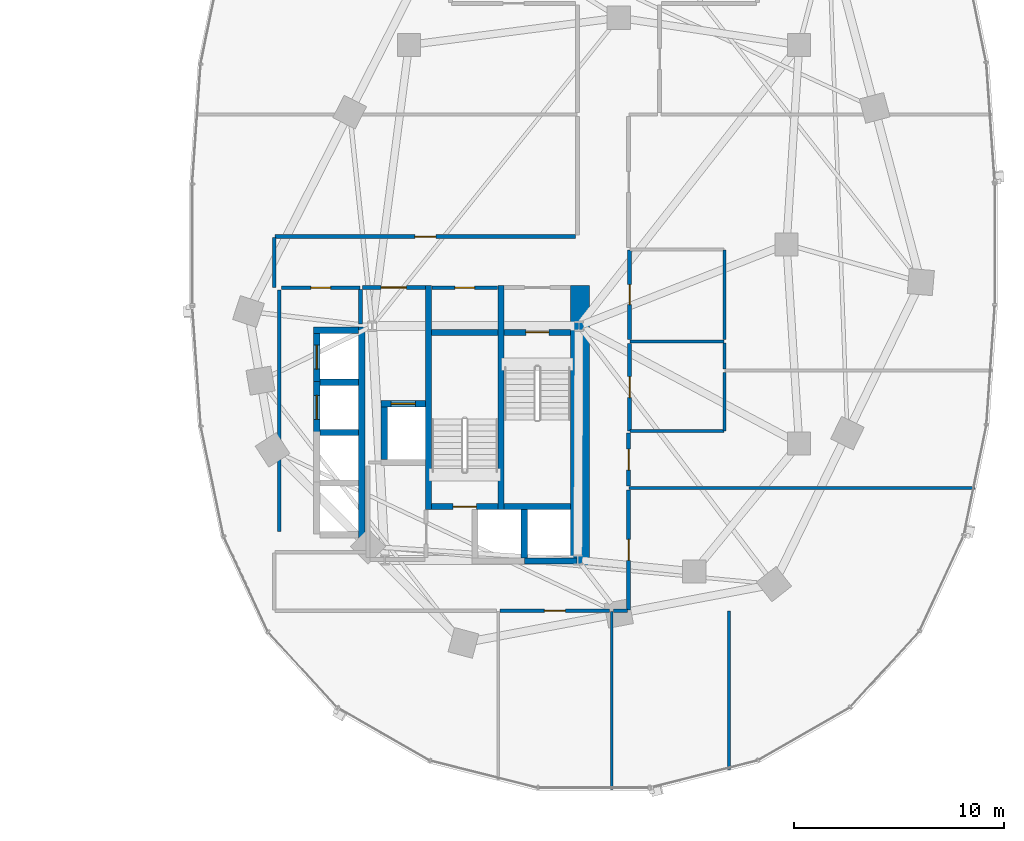
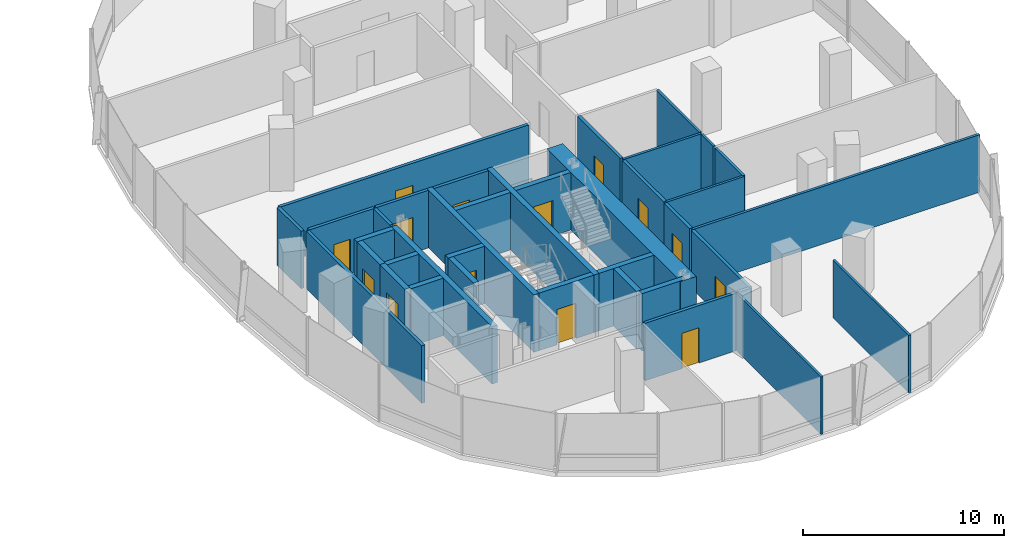
# One storey, part 13 of 22: 38 walls, 14 doors, 14 openings.
"""IFC4 building model written with IfcOpenShell, lengths in metres."""

import ifcopenshell
import ifcopenshell.guid

model = None  # the IFC model being written
_history = None  # IfcOwnerHistory: only IFC2X3 demands one
_inside = {}  # id of a spatial element -> (the spatial element, [elements in it])
_under = {}  # id of a project, library or spatial element -> (it, [spatial elements below it])
_declared = {}  # id of a project -> (the project, [libraries it declares])
_typed = {}  # id of a type object -> (the type object, [elements of that type])
_made_of = {}  # id of a material, layer set ... -> (it, [elements and type objects made of it])


def new_model(schema):
    """Start an empty IFC model of exactly this schema.

    Asked for "IFC4X3", IfcOpenShell would pick the latest addendum, in which some entities
    have other attributes; the version numbers below select the first issue.
    IFC2X3 requires an IfcOwnerHistory on every rooted entity: one is made here for all.
    """
    global model, _history
    if schema == "IFC4X3":
        model = ifcopenshell.file(schema_version=(4, 3, 0, 0))
    else:
        model = ifcopenshell.file(schema=schema)
    _inside.clear()
    _under.clear()
    _declared.clear()
    _typed.clear()
    _made_of.clear()
    _history = None
    if model.schema == "IFC2X3":
        org = make("IfcOrganization", Name="unknown")
        user = make(
            "IfcPersonAndOrganization",
            ThePerson=make("IfcPerson", FamilyName="unknown"),
            TheOrganization=org,
        )
        app = make(
            "IfcApplication",
            ApplicationDeveloper=org,
            Version="unknown",
            ApplicationFullName="unknown",
            ApplicationIdentifier="unknown",
        )
        _history = make(
            "IfcOwnerHistory",
            OwningUser=user,
            OwningApplication=app,
            ChangeAction="ADDED",
            CreationDate=0,
        )
    return model


def make(cls, **values):
    """One entity of the class cls with the attributes given. An attribute that is None is left unset."""
    return model.create_entity(
        cls, **{name: value for name, value in values.items() if value is not None}
    )


def rooted(cls, **values):
    """An entity with a GlobalId (a new one), such as an element, a storey or a relation."""
    return make(cls, GlobalId=ifcopenshell.guid.new(), OwnerHistory=_history, **values)


def si_unit(unit_type, name, prefix=None):
    """IfcSIUnit, for example si_unit("LENGTHUNIT", "METRE", prefix="MILLI")."""
    return make("IfcSIUnit", UnitType=unit_type, Prefix=prefix, Name=name)


def assignment(units):
    """IfcUnitAssignment: the units of a project."""
    return None if units is None else make("IfcUnitAssignment", Units=units)


def point(xyz):
    """IfcCartesianPoint."""
    return None if xyz is None else make("IfcCartesianPoint", Coordinates=xyz)


def direction(xyz):
    """IfcDirection."""
    return None if xyz is None else make("IfcDirection", DirectionRatios=xyz)


def frame(location, z_axis=None, x_axis=None):
    """IfcAxis2Placement3D, a coordinate frame: its origin and axes. An axis left out is left unset."""
    return make(
        "IfcAxis2Placement3D",
        Location=point(location),
        Axis=direction(z_axis),
        RefDirection=direction(x_axis),
    )


def frame_2d(location, x_axis=None):
    """IfcAxis2Placement2D, a coordinate frame in the plane: its origin and x axis."""
    return make(
        "IfcAxis2Placement2D", Location=point(location), RefDirection=direction(x_axis)
    )


def origin():
    """The frame at (0, 0, 0) with its axes left unset."""
    return frame((0.0, 0.0, 0.0))


def place(relative_to, where):
    """IfcLocalPlacement: puts the frame where relative to a parent placement (None: the world)."""
    return make(
        "IfcLocalPlacement", PlacementRelTo=relative_to, RelativePlacement=where
    )


def context(
    kind, dimensions, precision=None, world=None, true_north=None, identifier=None
):
    """IfcGeometricRepresentationContext, for example the 3D "Model" context."""
    return make(
        "IfcGeometricRepresentationContext",
        ContextIdentifier=identifier,
        ContextType=kind,
        CoordinateSpaceDimension=dimensions,
        Precision=precision,
        WorldCoordinateSystem=world,
        TrueNorth=true_north,
    )


def subcontext(parent, identifier, kind, view, scale=None):
    """IfcGeometricRepresentationSubContext, for example "Body" below "Model"."""
    return make(
        "IfcGeometricRepresentationSubContext",
        ContextIdentifier=identifier,
        ContextType=kind,
        ParentContext=parent,
        TargetScale=scale,
        TargetView=view,
    )


def project(units=None, contexts=None):
    """IfcProject with its units and contexts."""
    return rooted(
        "IfcProject",
        Name="project",
        RepresentationContexts=contexts,
        UnitsInContext=assignment(units),
    )


def spatial(cls, under=None, at=None, **own):
    """A site, building, storey or space (cls), placed at a placement, below another one or the project."""
    s = rooted(cls, ObjectPlacement=at, **own)
    if under is not None:
        _under.setdefault(under.id(), (under, []))[1].append(s)
    return s


def profile(cls, at=None, kind="AREA", **sizes):
    """A parametric profile (cls). Its sizes go by their IFC names, for example OverallWidth=200.0."""
    return make(cls, ProfileType=kind, Position=at, **sizes)


def rectangle(**sizes):
    """IfcRectangleProfileDef."""
    return profile("IfcRectangleProfileDef", **sizes)


def extrude(swept, where, along, depth):
    """IfcExtrudedAreaSolid: the profile swept, set in the frame where, extruded along a direction by depth."""
    return make(
        "IfcExtrudedAreaSolid",
        SweptArea=swept,
        Position=where,
        ExtrudedDirection=direction(along),
        Depth=depth,
    )


def shape(context_of_items, identifier, shape_type, items):
    """IfcShapeRepresentation: the items that make up one representation, for example the "Body"."""
    return make(
        "IfcShapeRepresentation",
        ContextOfItems=context_of_items,
        RepresentationIdentifier=identifier,
        RepresentationType=shape_type,
        Items=items,
    )


def material(Name=None, Category=None):
    """IfcMaterial."""
    return make("IfcMaterial", Name=Name, Category=Category)


def layer(
    of_material, thickness, ventilated=None, Name=None, Category=None, Priority=None
):
    """IfcMaterialLayer: one layer of a wall or slab, of a material (None: an air gap)."""
    return make(
        "IfcMaterialLayer",
        Material=of_material,
        LayerThickness=thickness,
        IsVentilated=ventilated,
        Name=Name,
        Category=Category,
        Priority=Priority,
    )


def layer_set(layers, Name=None):
    """IfcMaterialLayerSet."""
    return make("IfcMaterialLayerSet", MaterialLayers=layers, LayerSetName=Name)


def made_of(thing, what):
    """Note that an element or type object is made of a material, layer set ...; save() writes the relation."""
    if what is not None:
        _made_of.setdefault(what.id(), (what, []))[1].append(thing)
    return thing


def type_object(cls, material=None, **own):
    """A type object (cls), such as IfcWallType, which elements share."""
    return made_of(rooted(cls, **own), material)


def element(
    cls,
    number,
    at=None,
    inside=None,
    cuts=None,
    type_object=None,
    material=None,
    context=None,
    identifier="Body",
    shape_type=None,
    held_by="IfcProductDefinitionShape",
    body=None,
    shapes=None,
    **own,
):
    """One element of the class cls, such as IfcWall. Its Tag is "e" and its number.

    at: its placement. inside: the storey or other place that contains it. cuts: it is an
    opening in that element (IfcRelVoidsElement). A single representation is given by context,
    identifier, shape_type and body (its items); several are given by shapes. held_by: the class
    of the entity that holds the representations. save() writes the other relations.
    """
    e = rooted(cls, Tag="e%d" % number, ObjectPlacement=at, **own)
    if body is not None:
        shapes = [shape(context, identifier, shape_type, body)]
    if shapes is not None:
        e.Representation = make(held_by, Representations=shapes)
    if inside is not None:
        _inside.setdefault(inside.id(), (inside, []))[1].append(e)
    if cuts is not None:
        rooted(
            "IfcRelVoidsElement", RelatingBuildingElement=cuts, RelatedOpeningElement=e
        )
    if type_object is not None:
        _typed.setdefault(type_object.id(), (type_object, []))[1].append(e)
    return made_of(e, material)


def fill(opening, filler):
    """IfcRelFillsElement: the door or window that sits in an opening."""
    return rooted(
        "IfcRelFillsElement",
        RelatingOpeningElement=opening,
        RelatedBuildingElement=filler,
    )


def aggregate(whole, parts):
    """IfcRelAggregates: a whole, such as a stair, and the parts it consists of."""
    return rooted("IfcRelAggregates", RelatingObject=whole, RelatedObjects=parts)


def save(model, path):
    """Write the relations noted so far, then the file.

    IfcRelAggregates (storeys below a building ...), IfcRelContainedInSpatialStructure (elements
    in a storey), IfcRelDefinesByType, IfcRelAssociatesMaterial and IfcRelDeclares: one each for
    every whole, place, type object, material and project.
    """
    for whole, parts in _under.values():
        aggregate(whole, parts)
    for where, things in _inside.values():
        rooted(
            "IfcRelContainedInSpatialStructure",
            RelatedElements=things,
            RelatingStructure=where,
        )
    for kind, things in _typed.values():
        rooted("IfcRelDefinesByType", RelatedObjects=things, RelatingType=kind)
    for what, things in _made_of.values():
        rooted("IfcRelAssociatesMaterial", RelatedObjects=things, RelatingMaterial=what)
    for by, libraries in _declared.values():
        rooted("IfcRelDeclares", RelatingContext=by, RelatedDefinitions=libraries)
    model.write(path)


model = new_model("IFC4")

# Units and contexts
model_context = context("Model", 3, precision=1e-05, world=origin(), true_north=direction((0.0, 1.0)))
body_context = subcontext(model_context, "Body", "Model", "MODEL_VIEW")
ifc_project = project(units=[si_unit("LENGTHUNIT", "METRE"), si_unit("AREAUNIT", "SQUARE_METRE"), si_unit("VOLUMEUNIT", "CUBIC_METRE"), si_unit("PLANEANGLEUNIT", "RADIAN"), si_unit("MASSUNIT", "GRAM", prefix="KILO"), si_unit("THERMODYNAMICTEMPERATUREUNIT", "KELVIN"), si_unit("POWERUNIT", "WATT")], contexts=[model_context])

# Site, building, storey
site_placement = place(None, origin())
site = spatial("IfcSite", under=ifc_project, at=site_placement, CompositionType="ELEMENT")
building_placement = place(site_placement, origin())
building = spatial("IfcBuilding", under=site, at=building_placement, Name="Cundina Bronze Exchange", CompositionType="ELEMENT")
storey_placement = place(building_placement, frame((0.0, 0.0, 39.199951171875)))
storey = spatial("IfcBuildingStorey", under=building, at=storey_placement, Name="L09", CompositionType="ELEMENT", Elevation=39.199951171875)

# Wall
ifc_material_1 = material(Name="Gypsum Fireboard Partition EI120")
ifc_layer_1 = layer(ifc_material_1, 0.179931640625, Name="Gypsum Fireboard Partition EI120")
ifc_layer_set_1 = layer_set([ifc_layer_1], Name="Gypsum Fireboard Partition EI120")
wall_type_1 = type_object("IfcWallType", Name="WL-COR-180", PredefinedType="PARTITIONING", material=ifc_layer_set_1)
wall_1_placement = place(storey_placement, frame((20.889892578125, -3.800048828125, 0.0), z_axis=(0.0, 0.0, 1.0), x_axis=(0.0, 1.0, 0.0)))
element("IfcWall", 1, at=wall_1_placement, inside=storey, type_object=wall_type_1, Name="L09 E Firefighting Lobby Side Wall", PredefinedType="PARTITIONING", context=body_context, shape_type="SweptSolid", body=[
    extrude(rectangle(XDim=1.650146484375, YDim=0.179931640625, at=frame_2d((0.8251953125, 0.0))), origin(), (0.0, 0.0, 1.0), 3.5),
])

# Wall, opening, door
wall_2_placement = place(storey_placement, frame((20.97998046875, -2.06005859375, 0.0), z_axis=(0.0, 0.0, 1.0), x_axis=(1.0, 0.0, 0.0)))
wall_2 = element("IfcWall", 2, at=wall_2_placement, inside=storey, type_object=wall_type_1, Name="L09 E Firefighting Lobby Exit Wall", PredefinedType="PARTITIONING", context=body_context, shape_type="SweptSolid", body=[
    extrude(rectangle(XDim=3.0, YDim=0.179931640625, at=frame_2d((1.5, 0.0))), origin(), (0.0, 0.0, 1.0), 3.5),
])
opening_1_placement = place(wall_2_placement, frame((0.89990234375, 0.0, 0.0)))
opening_1 = element("IfcOpeningElement", 3, at=opening_1_placement, cuts=wall_2, Name="Opening DF-01", PredefinedType="OPENING", context=body_context, shape_type="SweptSolid", body=[
    extrude(rectangle(XDim=1.199951171875, YDim=2.14990234375, at=frame_2d((0.60009765625, 1.074951171875))), frame((0.0, 0.099853515625, 0.0), z_axis=(0.0, -1.0, 0.0), x_axis=(1.0, 0.0, 0.0)), (0.0, 0.0, 1.0), 0.199951171875),
])
ifc_material_2 = material(Name="Steel ASTM A36 Painted", Category="steel")
door_type_1 = type_object("IfcDoorType", Name="DR-FFL-1200", OperationType="NOTDEFINED", PredefinedType="DOOR", material=ifc_material_2)
door_1_placement = place(opening_1_placement, origin())
door_1 = element("IfcDoor", 4, at=door_1_placement, inside=storey, type_object=door_type_1, Name="L09 E Firefighting Lobby Door", OperationType="SINGLE_SWING_LEFT", OverallHeight=2.14990234375, OverallWidth=1.199951171875, PredefinedType="DOOR", context=body_context, shape_type="SweptSolid", body=[
    extrude(rectangle(XDim=1.199951171875, YDim=2.14990234375, at=frame_2d((0.60009765625, 1.074951171875))), frame((0.0, 0.02490234375, 0.0), z_axis=(0.0, -1.0, 0.0), x_axis=(1.0, 0.0, 0.0)), (0.0, 0.0, 1.0), 0.050048828125),
])
fill(opening_1, door_1)

# Wall
wall_3_placement = place(storey_placement, frame((17.02001953125, -13.679931640625, 0.0), z_axis=(0.0, 0.0, 1.0), x_axis=(0.0, 1.0, 0.0)))
element("IfcWall", 5, at=wall_3_placement, inside=storey, type_object=wall_type_1, Name="L09 Interior Partition 050", PredefinedType="PARTITIONING", context=body_context, shape_type="SweptSolid", body=[
    extrude(rectangle(XDim=11.510009765625, YDim=0.179931640625, at=frame_2d((5.7548828125, 0.0))), origin(), (0.0, 0.0, 1.0), 3.5),
])

# Wall, opening, door
wall_4_placement = place(storey_placement, frame((17.1201171875, -2.070068359375, 0.0), z_axis=(0.0, 0.0, 1.0), x_axis=(1.0, 0.0, 0.0)))
wall_4 = element("IfcWall", 6, at=wall_4_placement, inside=storey, type_object=wall_type_1, Name="L09 Interior Partition 051", PredefinedType="PARTITIONING", context=body_context, shape_type="SweptSolid", body=[
    extrude(rectangle(XDim=3.75, YDim=0.179931640625, at=frame_2d((1.875, 0.0))), origin(), (0.0, 0.0, 1.0), 3.5),
])
opening_2_placement = place(wall_4_placement, frame((1.39990234375, 0.0, 0.0)))
opening_2 = element("IfcOpeningElement", 7, at=opening_2_placement, cuts=wall_4, Name="Opening DW-01", PredefinedType="OPENING", context=body_context, shape_type="SweptSolid", body=[
    extrude(rectangle(XDim=0.949951171875, YDim=2.10009765625, at=frame_2d((0.47509765625, 1.050048828125))), frame((0.0, 0.099853515625, 0.0), z_axis=(0.0, -1.0, 0.0), x_axis=(1.0, 0.0, 0.0)), (0.0, 0.0, 1.0), 0.199951171875),
])
ifc_material_3 = material(Name="Solid Andean Oak Timber Grade A", Category="wood")
door_type_2 = type_object("IfcDoorType", Name="DR-WC-950", OperationType="NOTDEFINED", PredefinedType="DOOR", material=ifc_material_3)
door_2_placement = place(opening_2_placement, origin())
door_2 = element("IfcDoor", 8, at=door_2_placement, inside=storey, type_object=door_type_2, Name="L09 Interior Door 051", OperationType="SINGLE_SWING_LEFT", OverallHeight=2.10009765625, OverallWidth=0.949951171875, PredefinedType="DOOR", context=body_context, shape_type="SweptSolid", body=[
    extrude(rectangle(XDim=0.949951171875, YDim=2.10009765625, at=frame_2d((0.47509765625, 1.050048828125))), frame((0.0, 0.02490234375, 0.0), z_axis=(0.0, -1.0, 0.0), x_axis=(1.0, 0.0, 0.0)), (0.0, 0.0, 1.0), 0.050048828125),
])
fill(opening_2, door_2)

wall_5_placement = place(storey_placement, frame((24.300048828125, -2.070068359375, 0.0), z_axis=(0.0, 0.0, 1.0), x_axis=(1.0, 0.0, 0.0)))
wall_5 = element("IfcWall", 9, at=wall_5_placement, inside=storey, type_object=wall_type_1, Name="L09 Interior Partition 055", PredefinedType="PARTITIONING", context=body_context, shape_type="SweptSolid", body=[
    extrude(rectangle(XDim=3.119873046875, YDim=0.179931640625, at=frame_2d((1.56005859375, 0.0))), origin(), (0.0, 0.0, 1.0), 3.5),
])
opening_3_placement = place(wall_5_placement, frame((1.0849609375, 0.0, 0.0)))
opening_3 = element("IfcOpeningElement", 10, at=opening_3_placement, cuts=wall_5, Name="Opening DW-01", PredefinedType="OPENING", context=body_context, shape_type="SweptSolid", body=[
    extrude(rectangle(XDim=0.949951171875, YDim=2.10009765625, at=frame_2d((0.47509765625, 1.050048828125))), frame((0.0, 0.099853515625, 0.0), z_axis=(0.0, -1.0, 0.0), x_axis=(1.0, 0.0, 0.0)), (0.0, 0.0, 1.0), 0.199951171875),
])
door_3_placement = place(opening_3_placement, origin())
door_3 = element("IfcDoor", 11, at=door_3_placement, inside=storey, type_object=door_type_2, Name="L09 Interior Door 055", OperationType="SINGLE_SWING_LEFT", OverallHeight=2.10009765625, OverallWidth=0.949951171875, PredefinedType="DOOR", context=body_context, shape_type="SweptSolid", body=[
    extrude(rectangle(XDim=0.949951171875, YDim=2.10009765625, at=frame_2d((0.47509765625, 1.050048828125))), frame((0.0, 0.02490234375, 0.0), z_axis=(0.0, -1.0, 0.0), x_axis=(1.0, 0.0, 0.0)), (0.0, 0.0, 1.0), 0.050048828125),
])
fill(opening_3, door_3)

wall_6_placement = place(storey_placement, frame((33.719970703125, -4.530029296875, 0.0), z_axis=(0.0, 0.0, 1.0), x_axis=(0.0, 1.0, 0.0)))
wall_6 = element("IfcWall", 12, at=wall_6_placement, inside=storey, type_object=wall_type_1, Name="L09 Interior Partition 063", PredefinedType="PARTITIONING", context=body_context, shape_type="SweptSolid", body=[
    extrude(rectangle(XDim=4.260009765625, YDim=0.179931640625, at=frame_2d((2.1298828125, 0.0))), origin(), (0.0, 0.0, 1.0), 3.5),
])
opening_4_placement = place(wall_6_placement, frame((1.655029296875, 0.0, 0.0)))
opening_4 = element("IfcOpeningElement", 13, at=opening_4_placement, cuts=wall_6, Name="Opening DW-01", PredefinedType="OPENING", context=body_context, shape_type="SweptSolid", body=[
    extrude(rectangle(XDim=0.949951171875, YDim=2.10009765625, at=frame_2d((0.47509765625, 1.050048828125))), frame((0.0, 0.099853515625, 0.0), z_axis=(0.0, -1.0, 0.0), x_axis=(1.0, 0.0, 0.0)), (0.0, 0.0, 1.0), 0.199951171875),
])
door_4_placement = place(opening_4_placement, origin())
door_4 = element("IfcDoor", 14, at=door_4_placement, inside=storey, type_object=door_type_2, Name="L09 Interior Door 063", OperationType="SINGLE_SWING_LEFT", OverallHeight=2.10009765625, OverallWidth=0.949951171875, PredefinedType="DOOR", context=body_context, shape_type="SweptSolid", body=[
    extrude(rectangle(XDim=0.949951171875, YDim=2.10009765625, at=frame_2d((0.47509765625, 1.050048828125))), frame((0.0, 0.02490234375, 0.0), z_axis=(0.0, -1.0, 0.0), x_axis=(1.0, 0.0, 0.0)), (0.0, 0.0, 1.0), 0.050048828125),
])
fill(opening_4, door_4)

wall_7_placement = place(storey_placement, frame((33.719970703125, -8.889892578125, 0.0), z_axis=(0.0, 0.0, 1.0), x_axis=(0.0, 1.0, 0.0)))
wall_7 = element("IfcWall", 15, at=wall_7_placement, inside=storey, type_object=wall_type_1, Name="L09 Interior Partition 064", PredefinedType="PARTITIONING", context=body_context, shape_type="SweptSolid", body=[
    extrude(rectangle(XDim=4.159912109375, YDim=0.179931640625, at=frame_2d((2.080078125, 0.0))), origin(), (0.0, 0.0, 1.0), 3.5),
])
opening_5_placement = place(wall_7_placement, frame((1.580078125, 0.0, 0.0)))
opening_5 = element("IfcOpeningElement", 16, at=opening_5_placement, cuts=wall_7, Name="Opening DO-01", PredefinedType="OPENING", context=body_context, shape_type="SweptSolid", body=[
    extrude(rectangle(XDim=1.0, YDim=2.14990234375, at=frame_2d((0.5, 1.074951171875))), frame((0.0, 0.099853515625, 0.0), z_axis=(0.0, -1.0, 0.0), x_axis=(1.0, 0.0, 0.0)), (0.0, 0.0, 1.0), 0.199951171875),
])
door_type_3 = type_object("IfcDoorType", Name="DR-OFF-1000", OperationType="NOTDEFINED", PredefinedType="DOOR", material=ifc_material_3)
door_5_placement = place(opening_5_placement, origin())
door_5 = element("IfcDoor", 17, at=door_5_placement, inside=storey, type_object=door_type_3, Name="L09 Interior Door 064", OperationType="SINGLE_SWING_LEFT", OverallHeight=2.14990234375, OverallWidth=1.0, PredefinedType="DOOR", context=body_context, shape_type="SweptSolid", body=[
    extrude(rectangle(XDim=1.0, YDim=2.14990234375, at=frame_2d((0.5, 1.074951171875))), frame((0.0, 0.02490234375, 0.0), z_axis=(0.0, -1.0, 0.0), x_axis=(1.0, 0.0, 0.0)), (0.0, 0.0, 1.0), 0.050048828125),
])
fill(opening_5, door_5)

wall_8_placement = place(storey_placement, frame((27.550048828125, -17.469970703125, 0.0), z_axis=(0.0, 0.0, 1.0), x_axis=(1.0, 0.0, 0.0)))
wall_8 = element("IfcWall", 18, at=wall_8_placement, inside=storey, type_object=wall_type_1, Name="L09 Interior Partition 076", PredefinedType="PARTITIONING", context=body_context, shape_type="SweptSolid", body=[
    extrude(rectangle(XDim=5.219970703125, YDim=0.179931640625, at=frame_2d((2.60986328125, 0.0))), origin(), (0.0, 0.0, 1.0), 3.5),
])
opening_6_placement = place(wall_8_placement, frame((2.110107421875, 0.0, 0.0)))
opening_6 = element("IfcOpeningElement", 19, at=opening_6_placement, cuts=wall_8, Name="Opening DO-01", PredefinedType="OPENING", context=body_context, shape_type="SweptSolid", body=[
    extrude(rectangle(XDim=1.0, YDim=2.14990234375, at=frame_2d((0.5, 1.074951171875))), frame((0.0, 0.099853515625, 0.0), z_axis=(0.0, -1.0, 0.0), x_axis=(1.0, 0.0, 0.0)), (0.0, 0.0, 1.0), 0.199951171875),
])
door_6_placement = place(opening_6_placement, origin())
door_6 = element("IfcDoor", 20, at=door_6_placement, inside=storey, type_object=door_type_3, Name="L09 Interior Door 076", OperationType="SINGLE_SWING_RIGHT", OverallHeight=2.14990234375, OverallWidth=1.0, PredefinedType="DOOR", context=body_context, shape_type="SweptSolid", body=[
    extrude(rectangle(XDim=1.0, YDim=2.14990234375, at=frame_2d((0.5, 1.074951171875))), frame((0.0, 0.02490234375, 0.0), z_axis=(0.0, -1.0, 0.0), x_axis=(1.0, 0.0, 0.0)), (0.0, 0.0, 1.0), 0.050048828125),
])
fill(opening_6, door_6)

wall_9_placement = place(storey_placement, frame((33.669921875, -17.428466796875, 0.0), z_axis=(0.0, 0.0, 1.0), x_axis=(0.0, 1.0, 0.0)))
wall_9 = element("IfcWall", 21, at=wall_9_placement, inside=storey, type_object=wall_type_1, Name="L09 Interior Partition 077", PredefinedType="PARTITIONING", context=body_context, shape_type="SweptSolid", body=[
    extrude(rectangle(XDim=5.718505859375, YDim=0.179931640625, at=frame_2d((2.859375, 0.0))), origin(), (0.0, 0.0, 1.0), 3.5),
])
opening_7_placement = place(wall_9_placement, frame((2.359130859375, 0.0, 0.0)))
opening_7 = element("IfcOpeningElement", 22, at=opening_7_placement, cuts=wall_9, Name="Opening DO-01", PredefinedType="OPENING", context=body_context, shape_type="SweptSolid", body=[
    extrude(rectangle(XDim=1.0, YDim=2.14990234375, at=frame_2d((0.5, 1.074951171875))), frame((0.0, 0.099853515625, 0.0), z_axis=(0.0, -1.0, 0.0), x_axis=(1.0, 0.0, 0.0)), (0.0, 0.0, 1.0), 0.199951171875),
])
door_7_placement = place(opening_7_placement, origin())
door_7 = element("IfcDoor", 23, at=door_7_placement, inside=storey, type_object=door_type_3, Name="L09 Interior Door 077", OperationType="SINGLE_SWING_LEFT", OverallHeight=2.14990234375, OverallWidth=1.0, PredefinedType="DOOR", context=body_context, shape_type="SweptSolid", body=[
    extrude(rectangle(XDim=1.0, YDim=2.14990234375, at=frame_2d((0.5, 1.074951171875))), frame((0.0, 0.02490234375, 0.0), z_axis=(0.0, -1.0, 0.0), x_axis=(1.0, 0.0, 0.0)), (0.0, 0.0, 1.0), 0.050048828125),
])
fill(opening_7, door_7)

# Wall
wall_10_placement = place(storey_placement, frame((32.949951171875, -17.469970703125, 0.0), z_axis=(0.0, 0.0, 1.0), x_axis=(1.0, 0.0, 0.0)))
element("IfcWall", 24, at=wall_10_placement, inside=storey, type_object=wall_type_1, Name="L09 Interior Partition 078", PredefinedType="PARTITIONING", context=body_context, shape_type="SweptSolid", body=[
    extrude(rectangle(XDim=0.678466796875, YDim=0.179931640625, at=frame_2d((0.33935546875, 0.0))), origin(), (0.0, 0.0, 1.0), 3.5),
])

# Wall, opening, door
wall_11_placement = place(storey_placement, frame((33.669921875, -11.530029296875, 0.0), z_axis=(0.0, 0.0, 1.0), x_axis=(0.0, 1.0, 0.0)))
wall_11 = element("IfcWall", 25, at=wall_11_placement, inside=storey, type_object=wall_type_1, Name="L09 Interior Partition 079", PredefinedType="PARTITIONING", context=body_context, shape_type="SweptSolid", body=[
    extrude(rectangle(XDim=2.528564453125, YDim=0.179931640625, at=frame_2d((1.26416015625, 0.0))), origin(), (0.0, 0.0, 1.0), 3.5),
])
opening_8_placement = place(wall_11_placement, frame((0.764404296875, 0.0, 0.0)))
opening_8 = element("IfcOpeningElement", 26, at=opening_8_placement, cuts=wall_11, Name="Opening DO-01", PredefinedType="OPENING", context=body_context, shape_type="SweptSolid", body=[
    extrude(rectangle(XDim=1.0, YDim=2.14990234375, at=frame_2d((0.5, 1.074951171875))), frame((0.0, 0.099853515625, 0.0), z_axis=(0.0, -1.0, 0.0), x_axis=(1.0, 0.0, 0.0)), (0.0, 0.0, 1.0), 0.199951171875),
])
door_8_placement = place(opening_8_placement, origin())
door_8 = element("IfcDoor", 27, at=door_8_placement, inside=storey, type_object=door_type_3, Name="L09 Interior Door 079", OperationType="SINGLE_SWING_RIGHT", OverallHeight=2.14990234375, OverallWidth=1.0, PredefinedType="DOOR", context=body_context, shape_type="SweptSolid", body=[
    extrude(rectangle(XDim=1.0, YDim=2.14990234375, at=frame_2d((0.5, 1.074951171875))), frame((0.0, 0.02490234375, 0.0), z_axis=(0.0, -1.0, 0.0), x_axis=(1.0, 0.0, 0.0)), (0.0, 0.0, 1.0), 0.050048828125),
])
fill(opening_8, door_8)

wall_12_placement = place(storey_placement, frame((31.14990234375, 0.3701171875, 0.0), z_axis=(0.0, 0.0, 1.0), x_axis=(-1.0, 0.0, 0.0)))
wall_12 = element("IfcWall", 28, at=wall_12_placement, inside=storey, type_object=wall_type_1, Name="L09 Interior Partition 080", PredefinedType="PARTITIONING", context=body_context, shape_type="SweptSolid", body=[
    extrude(rectangle(XDim=14.328369140625, YDim=0.179931640625, at=frame_2d((7.1640625, 0.0))), origin(), (0.0, 0.0, 1.0), 3.5),
])
opening_9_placement = place(wall_12_placement, frame((6.664306640625, 0.0, 0.0)))
opening_9 = element("IfcOpeningElement", 29, at=opening_9_placement, cuts=wall_12, Name="Opening DO-01", PredefinedType="OPENING", context=body_context, shape_type="SweptSolid", body=[
    extrude(rectangle(XDim=1.0, YDim=2.14990234375, at=frame_2d((0.5, 1.074951171875))), frame((0.0, 0.099853515625, 0.0), z_axis=(0.0, -1.0, 0.0), x_axis=(1.0, 0.0, 0.0)), (0.0, 0.0, 1.0), 0.199951171875),
])
door_9_placement = place(opening_9_placement, origin())
door_9 = element("IfcDoor", 30, at=door_9_placement, inside=storey, type_object=door_type_3, Name="L09 Interior Door 080", OperationType="SINGLE_SWING_LEFT", OverallHeight=2.14990234375, OverallWidth=1.0, PredefinedType="DOOR", context=body_context, shape_type="SweptSolid", body=[
    extrude(rectangle(XDim=1.0, YDim=2.14990234375, at=frame_2d((0.5, 1.074951171875))), frame((0.0, 0.02490234375, 0.0), z_axis=(0.0, -1.0, 0.0), x_axis=(1.0, 0.0, 0.0)), (0.0, 0.0, 1.0), 0.050048828125),
])
fill(opening_9, door_9)

# Walls
wall_13_placement = place(storey_placement, frame((16.780029296875, 0.32861328125, 0.0), z_axis=(0.0, 0.0, 1.0), x_axis=(0.0, -1.0, 0.0)))
element("IfcWall", 31, at=wall_13_placement, inside=storey, type_object=wall_type_1, Name="L09 Interior Partition 085", PredefinedType="PARTITIONING", context=body_context, shape_type="SweptSolid", body=[
    extrude(rectangle(XDim=2.38720703125, YDim=0.179931640625, at=frame_2d((1.193603515625, 0.0))), origin(), (0.0, 0.0, 1.0), 3.5),
])
ifc_material_4 = material(Name="Concrete C60/75", Category="concrete")
ifc_layer_2 = layer(ifc_material_4, 0.89990234375, Name="Concrete C60/75", Category="concrete")
ifc_layer_set_2 = layer_set([ifc_layer_2], Name="Concrete C60/75")
wall_type_2 = type_object("IfcWallType", Name="WL-CORE-900", PredefinedType="SHEAR", material=ifc_layer_set_2)
wall_14_placement = place(storey_placement, frame((31.35009765625, -15.300048828125, 0.0), z_axis=(0.0, 0.0, 1.0), x_axis=(0.0, 1.0, 0.0)))
element("IfcWall", 32, at=wall_14_placement, inside=storey, type_object=wall_type_2, Name="L09 E Primary Core Shear Spine Wall", PredefinedType="SHEAR", context=body_context, shape_type="SweptSolid", body=[
    extrude(rectangle(XDim=13.330078125, YDim=0.89990234375, at=frame_2d((6.6650390625, 0.0))), origin(), (0.0, 0.0, 1.0), 3.5),
])
ifc_material_5 = material(Name="Gypsum Acoustic Partition EI60")
ifc_layer_3 = layer(ifc_material_5, 0.125, Name="Gypsum Acoustic Partition EI60")
ifc_layer_set_3 = layer_set([ifc_layer_3], Name="Gypsum Acoustic Partition EI60")
wall_type_3 = type_object("IfcWallType", Name="WL-OFF-125", PredefinedType="PARTITIONING", material=ifc_layer_set_3)
wall_15_placement = place(storey_placement, frame((32.860107421875, -25.985107421875, 0.0), z_axis=(0.0, 0.0, 1.0), x_axis=(0.0, 1.0, 0.0)))
element("IfcWall", 33, at=wall_15_placement, inside=storey, type_object=wall_type_3, Name="L09 Interior Partition 074", PredefinedType="PARTITIONING", context=body_context, shape_type="SweptSolid", body=[
    extrude(rectangle(XDim=8.485107421875, YDim=0.125, at=frame_2d((4.24267578125, 0.0))), origin(), (0.0, 0.0, 1.0), 3.5),
])
wall_16_placement = place(storey_placement, frame((38.4599609375, -25.03515625, 0.0), z_axis=(0.0, 0.0, 1.0), x_axis=(0.0, 1.0, 0.0)))
element("IfcWall", 34, at=wall_16_placement, inside=storey, type_object=wall_type_3, Name="L09 Interior Partition 075", PredefinedType="PARTITIONING", context=body_context, shape_type="SweptSolid", body=[
    extrude(rectangle(XDim=7.565185546875, YDim=0.125, at=frame_2d((3.78271484375, 0.0))), origin(), (0.0, 0.0, 1.0), 3.5),
])
ifc_material_6 = material(Name="Concrete C50/60", Category="concrete")
ifc_layer_4 = layer(ifc_material_6, 0.300048828125, Name="Concrete C50/60", Category="concrete")
ifc_layer_set_4 = layer_set([ifc_layer_4], Name="Concrete C50/60")
wall_type_4 = type_object("IfcWallType", Name="WL-SHFT-300", PredefinedType="SHEAR", material=ifc_layer_set_4)
for number, where, z_axis, x_axis, name in (
    (35, (27.590087890625, -12.64990234375, 0.0), (0.0, 0.0, 1.0), (0.0, 1.0, 0.0), "L09 E Stair Shaft Dividing Shear Wall"),
    (36, (24.1298828125, -12.64990234375, 0.0), (0.0, 0.0, 1.0), (0.0, 1.0, 0.0), "L09 E Stair 2 East Shear Wall"),
):
    element("IfcWall", number, at=place(storey_placement, frame(where, z_axis=z_axis, x_axis=x_axis)), inside=storey, type_object=wall_type_4, Name=name, PredefinedType="SHEAR", context=body_context, shape_type="SweptSolid", body=[
        extrude(rectangle(XDim=10.679931640625, YDim=0.300048828125, at=frame_2d((5.33984375, 0.0))), origin(), (0.0, 0.0, 1.0), 3.5),
    ])

# Wall, opening, door
wall_17_placement = place(storey_placement, frame((27.739990234375, -4.199951171875, 0.0), z_axis=(0.0, 0.0, 1.0), x_axis=(1.0, 0.0, 0.0)))
wall_17 = element("IfcWall", 37, at=wall_17_placement, inside=storey, type_object=wall_type_4, Name="L09 Stair E1 Landing Wall", PredefinedType="SHEAR", context=body_context, shape_type="SweptSolid", body=[
    extrude(rectangle(XDim=3.159912109375, YDim=0.300048828125, at=frame_2d((1.580078125, 0.0))), origin(), (0.0, 0.0, 1.0), 3.5),
])
opening_10_placement = place(wall_17_placement, frame((1.030029296875, 0.0, 0.0)))
opening_10 = element("IfcOpeningElement", 38, at=opening_10_placement, cuts=wall_17, Name="Opening DS-01", PredefinedType="OPENING", context=body_context, shape_type="SweptSolid", body=[
    extrude(rectangle(XDim=1.10009765625, YDim=2.14990234375, at=frame_2d((0.550048828125, 1.074951171875))), frame((0.0, 0.159912109375, 0.0), z_axis=(0.0, -1.0, 0.0), x_axis=(1.0, 0.0, 0.0)), (0.0, 0.0, 1.0), 0.320068359375),
])
door_type_4 = type_object("IfcDoorType", Name="DR-STR-1100", OperationType="NOTDEFINED", PredefinedType="DOOR", material=ifc_material_2)
door_10_placement = place(opening_10_placement, origin())
door_10 = element("IfcDoor", 39, at=door_10_placement, inside=storey, type_object=door_type_4, Name="L09 Smokeproof Stair E1 Door", OperationType="SINGLE_SWING_LEFT", OverallHeight=2.14990234375, OverallWidth=1.10009765625, PredefinedType="DOOR", context=body_context, shape_type="SweptSolid", body=[
    extrude(rectangle(XDim=1.10009765625, YDim=2.14990234375, at=frame_2d((0.550048828125, 1.074951171875))), frame((0.0, 0.02490234375, 0.0), z_axis=(0.0, -1.0, 0.0), x_axis=(1.0, 0.0, 0.0)), (0.0, 0.0, 1.0), 0.050048828125),
])
fill(opening_10, door_10)

# Wall
wall_18_placement = place(storey_placement, frame((27.739990234375, -12.5, 0.0), z_axis=(0.0, 0.0, 1.0), x_axis=(1.0, 0.0, 0.0)))
element("IfcWall", 40, at=wall_18_placement, inside=storey, type_object=wall_type_4, Name="L09 Stair E1 Far Shaft Wall", PredefinedType="SHEAR", context=body_context, shape_type="SweptSolid", body=[
    extrude(rectangle(XDim=3.159912109375, YDim=0.300048828125, at=frame_2d((1.580078125, 0.0))), origin(), (0.0, 0.0, 1.0), 3.5),
])

# Wall, opening, door
wall_19_placement = place(storey_placement, frame((24.280029296875, -12.5, 0.0), z_axis=(0.0, 0.0, 1.0), x_axis=(1.0, 0.0, 0.0)))
wall_19 = element("IfcWall", 41, at=wall_19_placement, inside=storey, type_object=wall_type_4, Name="L09 Stair E2 Landing Wall", PredefinedType="SHEAR", context=body_context, shape_type="SweptSolid", body=[
    extrude(rectangle(XDim=3.159912109375, YDim=0.300048828125, at=frame_2d((1.580078125, 0.0))), origin(), (0.0, 0.0, 1.0), 3.5),
])
opening_11_placement = place(wall_19_placement, frame((1.030029296875, 0.0, 0.0)))
opening_11 = element("IfcOpeningElement", 42, at=opening_11_placement, cuts=wall_19, Name="Opening DS-01", PredefinedType="OPENING", context=body_context, shape_type="SweptSolid", body=[
    extrude(rectangle(XDim=1.10009765625, YDim=2.14990234375, at=frame_2d((0.550048828125, 1.074951171875))), frame((0.0, 0.159912109375, 0.0), z_axis=(0.0, -1.0, 0.0), x_axis=(1.0, 0.0, 0.0)), (0.0, 0.0, 1.0), 0.320068359375),
])
door_11_placement = place(opening_11_placement, origin())
door_11 = element("IfcDoor", 43, at=door_11_placement, inside=storey, type_object=door_type_4, Name="L09 Smokeproof Stair E2 Door", OperationType="SINGLE_SWING_RIGHT", OverallHeight=2.14990234375, OverallWidth=1.10009765625, PredefinedType="DOOR", context=body_context, shape_type="SweptSolid", body=[
    extrude(rectangle(XDim=1.10009765625, YDim=2.14990234375, at=frame_2d((0.550048828125, 1.074951171875))), frame((0.0, 0.02490234375, 0.0), z_axis=(0.0, -1.0, 0.0), x_axis=(1.0, 0.0, 0.0)), (0.0, 0.0, 1.0), 0.050048828125),
])
fill(opening_11, door_11)

# Wall
wall_20_placement = place(storey_placement, frame((24.280029296875, -4.199951171875, 0.0), z_axis=(0.0, 0.0, 1.0), x_axis=(1.0, 0.0, 0.0)))
element("IfcWall", 44, at=wall_20_placement, inside=storey, type_object=wall_type_4, Name="L09 Stair E2 Far Shaft Wall", PredefinedType="SHEAR", context=body_context, shape_type="SweptSolid", body=[
    extrude(rectangle(XDim=3.159912109375, YDim=0.300048828125, at=frame_2d((1.580078125, 0.0))), origin(), (0.0, 0.0, 1.0), 3.5),
])

# Wall, opening, door
wall_21_placement = place(storey_placement, frame((21.8798828125, -7.60009765625, 0.0), z_axis=(0.0, 0.0, 1.0), x_axis=(1.0, 0.0, 0.0)))
wall_21 = element("IfcWall", 45, at=wall_21_placement, inside=storey, type_object=wall_type_4, Name="L09 FFL-E Hoistway Front Wall", PredefinedType="SHEAR", context=body_context, shape_type="SweptSolid", body=[
    extrude(rectangle(XDim=2.10009765625, YDim=0.300048828125, at=frame_2d((1.050048828125, 0.0))), origin(), (0.0, 0.0, 1.0), 3.5),
])
opening_12_placement = place(wall_21_placement, frame((0.47509765625, 0.0, 0.0)))
opening_12 = element("IfcOpeningElement", 46, at=opening_12_placement, cuts=wall_21, Name="Opening LD-01", PredefinedType="OPENING", context=body_context, shape_type="SweptSolid", body=[
    extrude(rectangle(XDim=1.14990234375, YDim=2.199951171875, at=frame_2d((0.574951171875, 1.10009765625))), frame((0.0, 0.159912109375, 0.0), z_axis=(0.0, -1.0, 0.0), x_axis=(1.0, 0.0, 0.0)), (0.0, 0.0, 1.0), 0.320068359375),
])
door_type_5 = type_object("IfcDoorType", Name="DR-LND-1150", OperationType="NOTDEFINED", PredefinedType="TRAPDOOR", material=ifc_material_2)
door_12_placement = place(opening_12_placement, origin())
door_12 = element("IfcDoor", 47, at=door_12_placement, inside=storey, type_object=door_type_5, Name="L09 FFL-E Sliding Landing Door", OperationType="SLIDING_TO_LEFT", OverallHeight=2.199951171875, OverallWidth=1.14990234375, PredefinedType="TRAPDOOR", context=body_context, shape_type="SweptSolid", body=[
    extrude(rectangle(XDim=1.14990234375, YDim=2.199951171875, at=frame_2d((0.574951171875, 1.10009765625))), frame((0.0, 0.02490234375, 0.0), z_axis=(0.0, -1.0, 0.0), x_axis=(1.0, 0.0, 0.0)), (0.0, 0.0, 1.0), 0.050048828125),
])
fill(opening_12, door_12)

# Walls
for number, where, z_axis, x_axis, name in (
    (48, (22.030029296875, -10.25, 0.0), (0.0, 0.0, 1.0), (0.0, 1.0, 0.0), "L09 FFL-E Hoistway Side Wall"),
    (49, (28.699951171875, -15.10009765625, 0.0), (0.0, 0.0, 1.0), (1.0, 0.0, 0.0), "L09 PH-E1 Hoistway Front Wall"),
):
    element("IfcWall", number, at=place(storey_placement, frame(where, z_axis=z_axis, x_axis=x_axis)), inside=storey, type_object=wall_type_4, Name=name, PredefinedType="SHEAR", context=body_context, shape_type="SweptSolid", body=[
        extrude(rectangle(XDim=2.5, YDim=0.300048828125, at=frame_2d((1.25, 0.0))), origin(), (0.0, 0.0, 1.0), 3.5),
    ])
wall_22_placement = place(storey_placement, frame((28.699951171875, -14.949951171875, 0.0), z_axis=(0.0, 0.0, 1.0), x_axis=(0.0, 1.0, 0.0)))
element("IfcWall", 50, at=wall_22_placement, inside=storey, type_object=wall_type_4, Name="L09 PH-E1 Hoistway Divider Wall", PredefinedType="SHEAR", context=body_context, shape_type="SweptSolid", body=[
    extrude(rectangle(XDim=2.300048828125, YDim=0.300048828125, at=frame_2d((1.14990234375, 0.0))), origin(), (0.0, 0.0, 1.0), 3.5),
])
wall_23_placement = place(storey_placement, frame((20.949951171875, -14.0, 0.0), z_axis=(0.0, 0.0, 1.0), x_axis=(0.0, 1.0, 0.0)))
element("IfcWall", 51, at=wall_23_placement, inside=storey, type_object=wall_type_4, Name="L09 E Passenger Bank Hoistway Back Wall", PredefinedType="SHEAR", context=body_context, shape_type="SweptSolid", body=[
    extrude(rectangle(XDim=10.050048828125, YDim=0.300048828125, at=frame_2d((5.02490234375, 0.0))), origin(), (0.0, 0.0, 1.0), 3.5),
])
wall_24_placement = place(storey_placement, frame((18.64990234375, -4.10009765625, 0.0), z_axis=(0.0, 0.0, 1.0), x_axis=(1.0, 0.0, 0.0)))
element("IfcWall", 52, at=wall_24_placement, inside=storey, type_object=wall_type_4, Name="L09 E Passenger Bank North Cap Wall", PredefinedType="SHEAR", context=body_context, shape_type="SweptSolid", body=[
    extrude(rectangle(XDim=2.150146484375, YDim=0.300048828125, at=frame_2d((1.0751953125, 0.0))), origin(), (0.0, 0.0, 1.0), 3.5),
])
for number, where, z_axis, x_axis, name in (
    (53, (18.949951171875, -8.97509765625, 0.0), (0.0, 0.0, 1.0), (1.0, 0.0, 0.0), "L09 E Passenger Hoistway Divider 2"),
    (54, (18.949951171875, -6.574951171875, 0.0), (0.0, 0.0, 1.0), (1.0, 0.0, 0.0), "L09 E Passenger Hoistway Divider 3"),
):
    element("IfcWall", number, at=place(storey_placement, frame(where, z_axis=z_axis, x_axis=x_axis)), inside=storey, type_object=wall_type_4, Name=name, PredefinedType="SHEAR", context=body_context, shape_type="SweptSolid", body=[
        extrude(rectangle(XDim=1.85009765625, YDim=0.300048828125, at=frame_2d((0.925048828125, 0.0))), origin(), (0.0, 0.0, 1.0), 3.5),
    ])

# Wall, opening, door
wall_25_placement = place(storey_placement, frame((18.800048828125, -9.02001953125, 0.0), z_axis=(0.0, 0.0, 1.0), x_axis=(0.0, 1.0, 0.0)))
wall_25 = element("IfcWall", 55, at=wall_25_placement, inside=storey, type_object=wall_type_4, Name="L09 PL-E1 Hoistway Front Wall", PredefinedType="SHEAR", context=body_context, shape_type="SweptSolid", body=[
    extrude(rectangle(XDim=2.489990234375, YDim=0.300048828125, at=frame_2d((1.2451171875, 0.0))), origin(), (0.0, 0.0, 1.0), 3.5),
])
opening_13_placement = place(wall_25_placement, frame((0.669921875, 0.0, 0.0)))
opening_13 = element("IfcOpeningElement", 56, at=opening_13_placement, cuts=wall_25, Name="Opening LD-01", PredefinedType="OPENING", context=body_context, shape_type="SweptSolid", body=[
    extrude(rectangle(XDim=1.14990234375, YDim=2.199951171875, at=frame_2d((0.574951171875, 1.10009765625))), frame((0.0, 0.159912109375, 0.0), z_axis=(0.0, -1.0, 0.0), x_axis=(1.0, 0.0, 0.0)), (0.0, 0.0, 1.0), 0.320068359375),
])
door_13_placement = place(opening_13_placement, origin())
door_13 = element("IfcDoor", 57, at=door_13_placement, inside=storey, type_object=door_type_5, Name="L09 PL-E1 Sliding Landing Door", OperationType="SLIDING_TO_LEFT", OverallHeight=2.199951171875, OverallWidth=1.14990234375, PredefinedType="TRAPDOOR", context=body_context, shape_type="SweptSolid", body=[
    extrude(rectangle(XDim=1.14990234375, YDim=2.199951171875, at=frame_2d((0.574951171875, 1.10009765625))), frame((0.0, 0.02490234375, 0.0), z_axis=(0.0, -1.0, 0.0), x_axis=(1.0, 0.0, 0.0)), (0.0, 0.0, 1.0), 0.050048828125),
])
fill(opening_13, door_13)

wall_26_placement = place(storey_placement, frame((18.800048828125, -6.6201171875, 0.0), z_axis=(0.0, 0.0, 1.0), x_axis=(0.0, 1.0, 0.0)))
wall_26 = element("IfcWall", 58, at=wall_26_placement, inside=storey, type_object=wall_type_4, Name="L09 PL-E2 Hoistway Front Wall", PredefinedType="SHEAR", context=body_context, shape_type="SweptSolid", body=[
    extrude(rectangle(XDim=2.490234375, YDim=0.300048828125, at=frame_2d((1.2451171875, 0.0))), origin(), (0.0, 0.0, 1.0), 3.5),
])
opening_14_placement = place(wall_26_placement, frame((0.669921875, 0.0, 0.0)))
opening_14 = element("IfcOpeningElement", 59, at=opening_14_placement, cuts=wall_26, Name="Opening LD-01", PredefinedType="OPENING", context=body_context, shape_type="SweptSolid", body=[
    extrude(rectangle(XDim=1.14990234375, YDim=2.199951171875, at=frame_2d((0.574951171875, 1.10009765625))), frame((0.0, 0.159912109375, 0.0), z_axis=(0.0, -1.0, 0.0), x_axis=(1.0, 0.0, 0.0)), (0.0, 0.0, 1.0), 0.320068359375),
])
door_14_placement = place(opening_14_placement, origin())
door_14 = element("IfcDoor", 60, at=door_14_placement, inside=storey, type_object=door_type_5, Name="L09 PL-E2 Sliding Landing Door", OperationType="SLIDING_TO_LEFT", OverallHeight=2.199951171875, OverallWidth=1.14990234375, PredefinedType="TRAPDOOR", context=body_context, shape_type="SweptSolid", body=[
    extrude(rectangle(XDim=1.14990234375, YDim=2.199951171875, at=frame_2d((0.574951171875, 1.10009765625))), frame((0.0, 0.02490234375, 0.0), z_axis=(0.0, -1.0, 0.0), x_axis=(1.0, 0.0, 0.0)), (0.0, 0.0, 1.0), 0.050048828125),
])
fill(opening_14, door_14)

# Walls
ifc_layer_5 = layer(ifc_material_5, 0.14990234375, Name="Gypsum Acoustic Partition EI60")
ifc_layer_set_5 = layer_set([ifc_layer_5], Name="Gypsum Acoustic Partition EI60")
wall_type_5 = type_object("IfcWallType", Name="WL-TEN-150", PredefinedType="PARTITIONING", material=ifc_layer_set_5)
wall_27_placement = place(storey_placement, frame((33.699951171875, -11.6201171875, 0.0), z_axis=(0.0, 0.0, 1.0), x_axis=(1.0, 0.0, 0.0)))
element("IfcWall", 61, at=wall_27_placement, inside=storey, type_object=wall_type_5, Name="L09 Interior Partition 072", PredefinedType="PARTITIONING", context=body_context, shape_type="SweptSolid", body=[
    extrude(rectangle(XDim=16.494140625, YDim=0.14990234375, at=frame_2d((8.2470703125, 0.0))), origin(), (0.0, 0.0, 1.0), 3.5),
])
ifc_material_7 = material(Name="Moisture-Resistant Masonry Block Grade M15", Category="masonry")
ifc_layer_6 = layer(ifc_material_7, 0.139892578125, Name="Moisture-Resistant Masonry Block Grade M15", Category="masonry")
ifc_layer_set_6 = layer_set([ifc_layer_6], Name="Moisture-Resistant Masonry Block Grade M15")
wall_type_6 = type_object("IfcWallType", Name="WL-WET-140", PredefinedType="PARTITIONING", material=ifc_layer_set_6)
wall_28_placement = place(storey_placement, frame((38.239990234375, -8.889892578125, 0.0), z_axis=(0.0, 0.0, 1.0), x_axis=(0.0, 1.0, 0.0)))
element("IfcWall", 62, at=wall_28_placement, inside=storey, type_object=wall_type_6, Name="L09 Interior Partition 057", PredefinedType="PARTITIONING", context=body_context, shape_type="SweptSolid", body=[
    extrude(rectangle(XDim=2.784912109375, YDim=0.139892578125, at=frame_2d((1.392578125, 0.0))), origin(), (0.0, 0.0, 1.0), 3.5),
])
wall_29_placement = place(storey_placement, frame((38.239990234375, -5.93505859375, 0.0), z_axis=(0.0, 0.0, 1.0), x_axis=(0.0, 1.0, 0.0)))
element("IfcWall", 63, at=wall_29_placement, inside=storey, type_object=wall_type_6, Name="L09 Interior Partition 058", PredefinedType="PARTITIONING", context=body_context, shape_type="SweptSolid", body=[
    extrude(rectangle(XDim=1.219970703125, YDim=0.139892578125, at=frame_2d((0.60986328125, 0.0))), origin(), (0.0, 0.0, 1.0), 3.5),
])
wall_30_placement = place(storey_placement, frame((38.239990234375, -4.544921875, 0.0), z_axis=(0.0, 0.0, 1.0), x_axis=(0.0, 1.0, 0.0)))
element("IfcWall", 64, at=wall_30_placement, inside=storey, type_object=wall_type_6, Name="L09 Interior Partition 059", PredefinedType="PARTITIONING", context=body_context, shape_type="SweptSolid", body=[
    extrude(rectangle(XDim=4.27490234375, YDim=0.139892578125, at=frame_2d((2.137451171875, 0.0))), origin(), (0.0, 0.0, 1.0), 3.5),
])
for number, where, z_axis, x_axis, name in (
    (65, (33.739990234375, -4.6298828125, 0.0), (0.0, 0.0, 1.0), (1.0, 0.0, 0.0), "L09 Interior Partition 061"),
    (66, (33.739990234375, -8.909912109375, 0.0), (0.0, 0.0, 1.0), (1.0, 0.0, 0.0), "L09 Interior Partition 062"),
):
    element("IfcWall", number, at=place(storey_placement, frame(where, z_axis=z_axis, x_axis=x_axis)), inside=storey, type_object=wall_type_6, Name=name, PredefinedType="PARTITIONING", context=body_context, shape_type="SweptSolid", body=[
        extrude(rectangle(XDim=4.47998046875, YDim=0.139892578125, at=frame_2d((2.239990234375, 0.0))), origin(), (0.0, 0.0, 1.0), 3.5),
    ])

save(model, "model.ifc")
